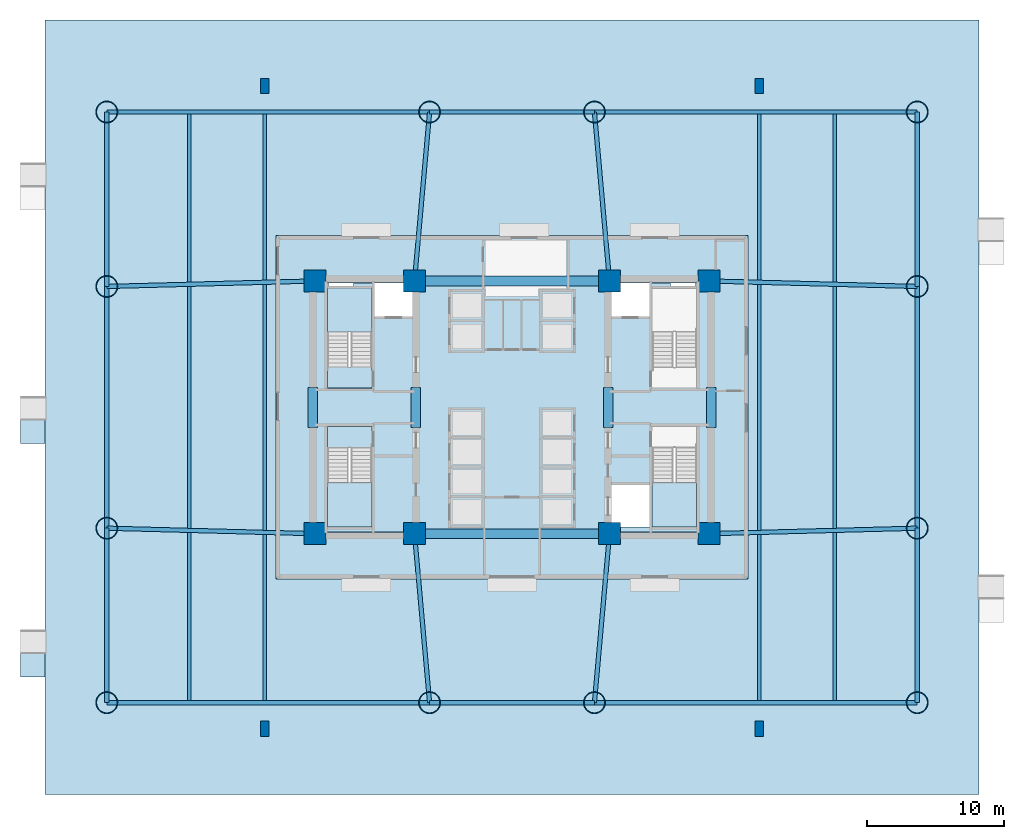
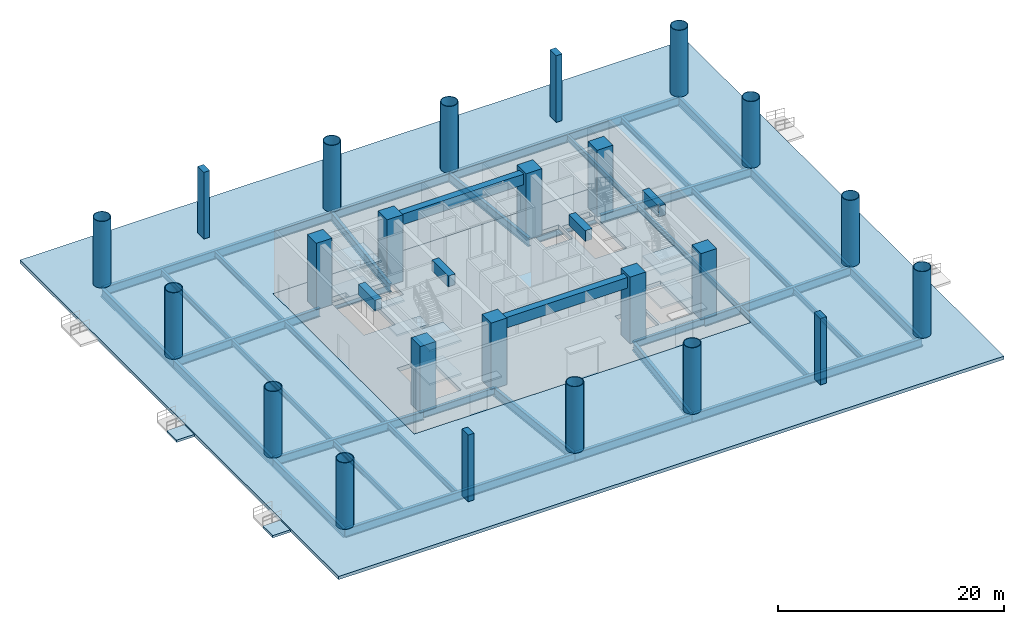
# One storey, part 1 of 10: 42 beams, 24 columns, 12 slabs, 5 elements without a shape of their own.
"""IFC4 building model written with IfcOpenShell, lengths in metres."""

from ifc_helpers import new_model, si_unit, direction, frame, origin, origin_2d, place, context, subcontext, project, spatial, polyline, rectangle, hollow_circle, i_section, outline, extrude, source, transform, mapped, material, layer, layer_set, material_profile, profile_set, type_object, element, aggregate, save


model = new_model("IFC4")

# Units and contexts
model_context = context("Model", 3, precision=1e-05, world=origin(), true_north=direction((0.0, 1.0)))
body_context = subcontext(model_context, "Body", "Model", "MODEL_VIEW")
ifc_project = project(units=[si_unit("LENGTHUNIT", "METRE"), si_unit("AREAUNIT", "SQUARE_METRE"), si_unit("VOLUMEUNIT", "CUBIC_METRE"), si_unit("PLANEANGLEUNIT", "RADIAN"), si_unit("MASSUNIT", "GRAM", prefix="KILO")], contexts=[model_context])

# Site, building, storey
site_placement = place(None, origin())
site = spatial("IfcSite", under=ifc_project, at=site_placement, CompositionType="ELEMENT")
building_placement = place(site_placement, origin())
building = spatial("IfcBuilding", under=site, at=building_placement, Name="Zahravan Cultural Tower", CompositionType="ELEMENT")
storey_placement = place(building_placement, origin())
storey = spatial("IfcBuildingStorey", under=building, at=storey_placement, Name="L00", CompositionType="ELEMENT", Elevation=0.0)

# Columns
ifc_material_1 = material(Name="Concrete C60/75", Category="concrete")
ifc_material_profile_1 = material_profile(ifc_material_1, rectangle(XDim=1.60009765625, YDim=1.60009765625, at=origin_2d()), Name="RC1600X1600")
ifc_profile_set_1 = profile_set([ifc_material_profile_1], Name="Concrete C60/75")
column_type_1 = type_object("IfcColumnType", Name="COL-RC1600", PredefinedType="COLUMN", material=ifc_profile_set_1)
shared_shape_1 = source(origin(), body_context, "Body", "SweptSolid", [
    extrude(rectangle(XDim=1.60009765625, YDim=1.60009765625, at=origin_2d()), origin(), (0.0, 0.0, 1.0), 7.199951171875),
])
for number, where, z_axis, x_axis, name in (
    (1, (21.64990234375, 17.800048828125, 0.0), (0.0, 0.0, 1.0), (1.0, 0.0, 0.0), "L00 Column CC-W1"),
    (2, (28.89990234375, 17.800048828125, 0.0), (0.0, 0.0, 1.0), (1.0, 0.0, 0.0), "L00 Column CC-W2"),
    (3, (21.64990234375, 36.199951171875, 0.0), (0.0, 0.0, 1.0), (1.0, 0.0, 0.0), "L00 Column CC-W3"),
    (4, (28.89990234375, 36.199951171875, 0.0), (0.0, 0.0, 1.0), (1.0, 0.0, 0.0), "L00 Column CC-W4"),
    (5, (43.10009765625, 17.800048828125, 0.0), (0.0, 0.0, 1.0), (1.0, 0.0, 0.0), "L00 Column CC-E1"),
    (6, (50.35009765625, 17.800048828125, 0.0), (0.0, 0.0, 1.0), (1.0, 0.0, 0.0), "L00 Column CC-E2"),
    (7, (43.10009765625, 36.199951171875, 0.0), (0.0, 0.0, 1.0), (1.0, 0.0, 0.0), "L00 Column CC-E3"),
    (8, (50.35009765625, 36.199951171875, 0.0), (0.0, 0.0, 1.0), (1.0, 0.0, 0.0), "L00 Column CC-E4"),
):
    element("IfcColumn", number, at=place(storey_placement, frame(where, z_axis=z_axis, x_axis=x_axis)), inside=storey, type_object=column_type_1, Name=name, PredefinedType="COLUMN", context=body_context, shape_type="MappedRepresentation", body=[
        mapped(shared_shape_1, transform((0.0, 0.0, 0.0), x_axis=(1.0, 0.0, 0.0), y_axis=(0.0, 1.0, 0.0), z_axis=(0.0, 0.0, 1.0), scale=1.0)),
    ])
ifc_material_2 = material(Name="Steel ASTM A572 Grade 50", Category="steel")
ifc_material_profile_2 = material_profile(ifc_material_2, hollow_circle(Radius=0.800048828125, WallThickness=0.06005859375, at=origin_2d()), Name="CHS1600X60")
ifc_profile_set_2 = profile_set([ifc_material_profile_2], Name="Steel ASTM A572 Grade 50")
column_type_2 = type_object("IfcColumnType", Name="COL-STILT-1600", PredefinedType="COLUMN", material=ifc_profile_set_2)
shared_shape_2 = source(origin(), body_context, "Body", "SweptSolid", [
    extrude(hollow_circle(Radius=0.800048828125, WallThickness=0.06005859375, at=origin_2d()), origin(), (0.0, 0.0, 1.0), 7.199951171875),
])
for number, where, z_axis, x_axis, name in (
    (9, (6.5, 5.5, 0.0), (0.0, 0.0, 1.0), (1.0, 0.0, 0.0), "L00 Column PC-01"),
    (10, (30.0, 5.5, 0.0), (0.0, 0.0, 1.0), (1.0, 0.0, 0.0), "L00 Column PC-02"),
    (11, (42.0, 5.5, 0.0), (0.0, 0.0, 1.0), (1.0, 0.0, 0.0), "L00 Column PC-03"),
    (12, (65.5, 5.5, 0.0), (0.0, 0.0, 1.0), (1.0, 0.0, 0.0), "L00 Column PC-04"),
    (13, (6.5, 18.199951171875, 0.0), (0.0, 0.0, 1.0), (1.0, 0.0, 0.0), "L00 Column PC-05"),
    (14, (65.5, 18.199951171875, 0.0), (0.0, 0.0, 1.0), (1.0, 0.0, 0.0), "L00 Column PC-06"),
    (15, (6.5, 35.800048828125, 0.0), (0.0, 0.0, 1.0), (1.0, 0.0, 0.0), "L00 Column PC-07"),
    (16, (65.5, 35.800048828125, 0.0), (0.0, 0.0, 1.0), (1.0, 0.0, 0.0), "L00 Column PC-08"),
    (17, (6.5, 48.5, 0.0), (0.0, 0.0, 1.0), (1.0, 0.0, 0.0), "L00 Column PC-09"),
    (18, (30.0, 48.5, 0.0), (0.0, 0.0, 1.0), (1.0, 0.0, 0.0), "L00 Column PC-10"),
    (19, (42.0, 48.5, 0.0), (0.0, 0.0, 1.0), (1.0, 0.0, 0.0), "L00 Column PC-11"),
    (20, (65.5, 48.5, 0.0), (0.0, 0.0, 1.0), (1.0, 0.0, 0.0), "L00 Column PC-12"),
):
    element("IfcColumn", number, at=place(storey_placement, frame(where, z_axis=z_axis, x_axis=x_axis)), inside=storey, type_object=column_type_2, Name=name, PredefinedType="COLUMN", context=body_context, shape_type="MappedRepresentation", body=[
        mapped(shared_shape_2, transform((0.0, 0.0, 0.0), x_axis=(1.0, 0.0, 0.0), y_axis=(0.0, 1.0, 0.0), z_axis=(0.0, 0.0, 1.0), scale=1.0)),
    ])
ifc_material_3 = material(Name="Concrete C50/60", Category="concrete")
ifc_material_profile_3 = material_profile(ifc_material_3, rectangle(XDim=0.60009765625, YDim=1.10009765625, at=origin_2d()), Name="RC600X1100")
ifc_profile_set_3 = profile_set([ifc_material_profile_3], Name="Concrete C50/60")
column_type_3 = type_object("IfcColumnType", Name="PIL-RC600X1100", PredefinedType="PILASTER", material=ifc_profile_set_3)
shared_shape_3 = source(origin(), body_context, "Body", "SweptSolid", [
    extrude(rectangle(XDim=0.60009765625, YDim=1.10009765625, at=origin_2d()), origin(), (0.0, 0.0, 1.0), 7.199951171875),
])
for number, where, z_axis, x_axis, name in (
    (21, (18.0, 3.60009765625, 0.0), (0.0, 0.0, 1.0), (1.0, 0.0, 0.0), "L00 Engaged Pilaster S1"),
    (22, (54.0, 3.60009765625, 0.0), (0.0, 0.0, 1.0), (1.0, 0.0, 0.0), "L00 Engaged Pilaster S2"),
    (23, (18.0, 50.39990234375, 0.0), (0.0, 0.0, 1.0), (1.0, 0.0, 0.0), "L00 Engaged Pilaster N1"),
    (24, (54.0, 50.39990234375, 0.0), (0.0, 0.0, 1.0), (1.0, 0.0, 0.0), "L00 Engaged Pilaster N2"),
):
    element("IfcColumn", number, at=place(storey_placement, frame(where, z_axis=z_axis, x_axis=x_axis)), inside=storey, type_object=column_type_3, Name=name, PredefinedType="PILASTER", context=body_context, shape_type="MappedRepresentation", body=[
        mapped(shared_shape_3, transform((0.0, 0.0, 0.0), x_axis=(1.0, 0.0, 0.0), y_axis=(0.0, 1.0, 0.0), z_axis=(0.0, 0.0, 1.0), scale=1.0)),
    ])

# Beams
ifc_material_profile_4 = material_profile(ifc_material_3, rectangle(XDim=0.699951171875, YDim=1.14990234375, at=origin_2d()), Name="RC700X1150")
ifc_profile_set_4 = profile_set([ifc_material_profile_4], Name="Concrete C50/60")
beam_type_1 = type_object("IfcBeamType", Name="BM-LN-RC700X1150", PredefinedType="LINTEL", material=ifc_profile_set_4)
shared_shape_4 = source(origin(), body_context, "Body", "SweptSolid", [
    extrude(rectangle(XDim=0.699951171875, YDim=1.14990234375, at=origin_2d()), origin(), (0.0, 0.0, 1.0), 14.2001953125),
])
for number, where, z_axis, x_axis, name in (
    (25, (28.89990234375, 17.800048828125, 6.324951171875), (1.0, 0.0, 0.0), (0.0, 1.0, 0.0), "L00 Beam LN-L00-S"),
    (26, (28.89990234375, 36.199951171875, 6.324951171875), (1.0, 0.0, 0.0), (0.0, 1.0, 0.0), "L00 Beam LN-L00-N"),
):
    element("IfcBeam", number, at=place(storey_placement, frame(where, z_axis=z_axis, x_axis=x_axis)), inside=storey, type_object=beam_type_1, Name=name, PredefinedType="LINTEL", context=body_context, shape_type="MappedRepresentation", body=[
        mapped(shared_shape_4, transform((0.0, 0.0, 0.0), x_axis=(1.0, 0.0, 0.0), y_axis=(0.0, 1.0, 0.0), z_axis=(0.0, 0.0, 1.0), scale=1.0)),
    ])
shared_shape_5 = source(origin(), body_context, "Body", "SweptSolid", [
    extrude(rectangle(XDim=0.699951171875, YDim=1.14990234375, at=origin_2d()), origin(), (0.0, 0.0, 1.0), 2.89990234375),
])
for number, where, z_axis, x_axis, name in (
    (27, (21.5, 25.550048828125, 6.324951171875), (0.0, 1.0, 0.0), (-1.0, 0.0, 0.0), "L00 Beam LN-L00-PWW"),
    (28, (29.0, 25.550048828125, 6.324951171875), (0.0, 1.0, 0.0), (-1.0, 0.0, 0.0), "L00 Beam LN-L00-PWE"),
    (29, (43.0, 25.550048828125, 6.324951171875), (0.0, 1.0, 0.0), (-1.0, 0.0, 0.0), "L00 Beam LN-L00-PEW"),
    (30, (50.5, 25.550048828125, 6.324951171875), (0.0, 1.0, 0.0), (-1.0, 0.0, 0.0), "L00 Beam LN-L00-PEE"),
):
    element("IfcBeam", number, at=place(storey_placement, frame(where, z_axis=z_axis, x_axis=x_axis)), inside=storey, type_object=beam_type_1, Name=name, PredefinedType="LINTEL", context=body_context, shape_type="MappedRepresentation", body=[
        mapped(shared_shape_5, transform((0.0, 0.0, 0.0), x_axis=(1.0, 0.0, 0.0), y_axis=(0.0, 1.0, 0.0), z_axis=(0.0, 0.0, 1.0), scale=1.0)),
    ])
ifc_material_4 = material(Name="Steel ASTM A992 Grade 50", Category="steel")
ifc_material_profile_5 = material_profile(ifc_material_4, i_section(OverallWidth=0.26611328125, OverallDepth=0.780029296875, WebThickness=0.0166015625, FlangeThickness=0.030029296875, FilletRadius=0.01904296875, at=origin_2d()), Name="W30X148")
ifc_profile_set_5 = profile_set([ifc_material_profile_5], Name="Steel ASTM A992 Grade 50")
beam_type_2 = type_object("IfcBeamType", Name="BM-G-W30X148", PredefinedType="BEAM", material=ifc_profile_set_5)
shared_shape_6 = source(origin(), body_context, "Body", "SweptSolid", [
    extrude(i_section(OverallWidth=0.26611328125, OverallDepth=0.780029296875, WebThickness=0.0166015625, FlangeThickness=0.030029296875, FilletRadius=0.01904296875, at=origin_2d()), origin(), (0.0, 0.0, 1.0), 7.25),
])
for number, where, z_axis, x_axis, name in (
    (31, (21.64990234375, 17.800048828125, -0.840087890625), (1.0, 0.0, 0.0), (0.0, 1.0, 0.0), "L00 Beam BG-L00-01"),
    (32, (21.64990234375, 36.199951171875, -0.840087890625), (1.0, 0.0, 0.0), (0.0, 1.0, 0.0), "L00 Beam BG-L00-02"),
    (33, (43.10009765625, 17.800048828125, -0.840087890625), (1.0, 0.0, 0.0), (0.0, 1.0, 0.0), "L00 Beam BG-L00-04"),
    (34, (43.10009765625, 36.199951171875, -0.840087890625), (1.0, 0.0, 0.0), (0.0, 1.0, 0.0), "L00 Beam BG-L00-05"),
):
    element("IfcBeam", number, at=place(storey_placement, frame(where, z_axis=z_axis, x_axis=x_axis)), inside=storey, type_object=beam_type_2, Name=name, PredefinedType="BEAM", context=body_context, shape_type="MappedRepresentation", body=[
        mapped(shared_shape_6, transform((0.0, 0.0, 0.0), x_axis=(1.0, 0.0, 0.0), y_axis=(0.0, 1.0, 0.0), z_axis=(0.0, 0.0, 1.0), scale=1.0)),
    ])
ifc_material_profile_6 = material_profile(ifc_material_4, i_section(OverallWidth=0.31005859375, OverallDepth=0.949951171875, WebThickness=0.0244140625, FlangeThickness=0.0439453125, FilletRadius=0.02392578125, at=origin_2d()), Name="W36X256")
ifc_profile_set_6 = profile_set([ifc_material_profile_6], Name="Steel ASTM A992 Grade 50")
beam_type_3 = type_object("IfcBeamType", Name="BM-G-W36X256", PredefinedType="BEAM", material=ifc_profile_set_6)
shared_shape_7 = source(origin(), body_context, "Body", "SweptSolid", [
    extrude(i_section(OverallWidth=0.31005859375, OverallDepth=0.949951171875, WebThickness=0.0244140625, FlangeThickness=0.0439453125, FilletRadius=0.02392578125, at=origin_2d()), origin(), (0.0, 0.0, 1.0), 23.5),
])
for number, where, z_axis, x_axis, name in (
    (35, (6.5, 5.5, -0.925048828125), (1.0, 0.0, 0.0), (0.0, 1.0, 0.0), "L00 Beam BG-L00-07"),
    (36, (42.0, 5.5, -0.925048828125), (1.0, 0.0, 0.0), (0.0, 1.0, 0.0), "L00 Beam BG-L00-09"),
    (37, (6.5, 48.5, -0.925048828125), (1.0, 0.0, 0.0), (0.0, 1.0, 0.0), "L00 Beam BG-L00-10"),
    (38, (42.0, 48.5, -0.925048828125), (1.0, 0.0, 0.0), (0.0, 1.0, 0.0), "L00 Beam BG-L00-12"),
):
    element("IfcBeam", number, at=place(storey_placement, frame(where, z_axis=z_axis, x_axis=x_axis)), inside=storey, type_object=beam_type_3, Name=name, PredefinedType="BEAM", context=body_context, shape_type="MappedRepresentation", body=[
        mapped(shared_shape_7, transform((0.0, 0.0, 0.0), x_axis=(1.0, 0.0, 0.0), y_axis=(0.0, 1.0, 0.0), z_axis=(0.0, 0.0, 1.0), scale=1.0)),
    ])
shared_shape_8 = source(origin(), body_context, "Body", "SweptSolid", [
    extrude(i_section(OverallWidth=0.31005859375, OverallDepth=0.949951171875, WebThickness=0.0244140625, FlangeThickness=0.0439453125, FilletRadius=0.02392578125, at=origin_2d()), origin(), (0.0, 0.0, 1.0), 12.0),
])
for number, where, z_axis, x_axis, name in (
    (39, (30.0, 5.5, -0.925048828125), (1.0, 0.0, 0.0), (0.0, 1.0, 0.0), "L00 Beam BG-L00-08"),
    (40, (30.0, 48.5, -0.925048828125), (1.0, 0.0, 0.0), (0.0, 1.0, 0.0), "L00 Beam BG-L00-11"),
):
    element("IfcBeam", number, at=place(storey_placement, frame(where, z_axis=z_axis, x_axis=x_axis)), inside=storey, type_object=beam_type_3, Name=name, PredefinedType="BEAM", context=body_context, shape_type="MappedRepresentation", body=[
        mapped(shared_shape_8, transform((0.0, 0.0, 0.0), x_axis=(1.0, 0.0, 0.0), y_axis=(0.0, 1.0, 0.0), z_axis=(0.0, 0.0, 1.0), scale=1.0)),
    ])
shared_shape_9 = source(origin(), body_context, "Body", "SweptSolid", [
    extrude(i_section(OverallWidth=0.31005859375, OverallDepth=0.949951171875, WebThickness=0.0244140625, FlangeThickness=0.0439453125, FilletRadius=0.02392578125, at=origin_2d()), origin(), (0.0, 0.0, 1.0), 12.699951171875),
])
for number, where, z_axis, x_axis, name in (
    (41, (6.5, 5.5, -0.925048828125), (0.0, 1.0, 0.0), (-1.0, 0.0, 0.0), "L00 Beam BG-L00-13"),
    (42, (6.5, 35.800048828125, -0.925048828125), (0.0, 1.0, 0.0), (-1.0, 0.0, 0.0), "L00 Beam BG-L00-15"),
    (43, (65.5, 5.5, -0.925048828125), (0.0, 1.0, 0.0), (-1.0, 0.0, 0.0), "L00 Beam BG-L00-16"),
    (44, (65.5, 35.800048828125, -0.925048828125), (0.0, 1.0, 0.0), (-1.0, 0.0, 0.0), "L00 Beam BG-L00-18"),
):
    element("IfcBeam", number, at=place(storey_placement, frame(where, z_axis=z_axis, x_axis=x_axis)), inside=storey, type_object=beam_type_3, Name=name, PredefinedType="BEAM", context=body_context, shape_type="MappedRepresentation", body=[
        mapped(shared_shape_9, transform((0.0, 0.0, 0.0), x_axis=(1.0, 0.0, 0.0), y_axis=(0.0, 1.0, 0.0), z_axis=(0.0, 0.0, 1.0), scale=1.0)),
    ])
shared_shape_10 = source(origin(), body_context, "Body", "SweptSolid", [
    extrude(i_section(OverallWidth=0.31005859375, OverallDepth=0.949951171875, WebThickness=0.0244140625, FlangeThickness=0.0439453125, FilletRadius=0.02392578125, at=origin_2d()), origin(), (0.0, 0.0, 1.0), 17.60009765625),
])
for number, where, z_axis, x_axis, name in (
    (45, (6.5, 18.199951171875, -0.925048828125), (0.0, 1.0, 0.0), (-1.0, 0.0, 0.0), "L00 Beam BG-L00-14"),
    (46, (65.5, 18.199951171875, -0.925048828125), (0.0, 1.0, 0.0), (-1.0, 0.0, 0.0), "L00 Beam BG-L00-17"),
):
    element("IfcBeam", number, at=place(storey_placement, frame(where, z_axis=z_axis, x_axis=x_axis)), inside=storey, type_object=beam_type_3, Name=name, PredefinedType="BEAM", context=body_context, shape_type="MappedRepresentation", body=[
        mapped(shared_shape_10, transform((0.0, 0.0, 0.0), x_axis=(1.0, 0.0, 0.0), y_axis=(0.0, 1.0, 0.0), z_axis=(0.0, 0.0, 1.0), scale=1.0)),
    ])
shared_shape_11 = source(origin(), body_context, "Body", "SweptSolid", [
    extrude(i_section(OverallWidth=0.31005859375, OverallDepth=0.949951171875, WebThickness=0.0244140625, FlangeThickness=0.0439453125, FilletRadius=0.02392578125, at=origin_2d()), origin(), (0.0, 0.0, 1.0), 15.1552734375),
])
for number, where, z_axis, x_axis, name in (
    (47, (6.5, 18.199951171875, -0.925048828125), (0.999651797923, -0.026387173188, 0.0), (0.026387173188, 0.999651797923, 0.0), "L00 Beam BG-L00-19"),
    (48, (6.5, 35.800048828125, -0.925048828125), (0.999651797923, 0.026387173188, 0.0), (-0.026387173188, 0.999651797923, 0.0), "L00 Beam BG-L00-20"),
    (49, (65.5, 18.199951171875, -0.925048828125), (-0.999651797923, -0.026387173188, 0.0), (0.026387173188, -0.999651797923, 0.0), "L00 Beam BG-L00-21"),
    (50, (65.5, 35.800048828125, -0.925048828125), (-0.999651797923, 0.026387173188, 0.0), (-0.026387173188, -0.999651797923, 0.0), "L00 Beam BG-L00-22"),
):
    element("IfcBeam", number, at=place(storey_placement, frame(where, z_axis=z_axis, x_axis=x_axis)), inside=storey, type_object=beam_type_3, Name=name, PredefinedType="BEAM", context=body_context, shape_type="MappedRepresentation", body=[
        mapped(shared_shape_11, transform((0.0, 0.0, 0.0), x_axis=(1.0, 0.0, 0.0), y_axis=(0.0, 1.0, 0.0), z_axis=(0.0, 0.0, 1.0), scale=1.0)),
    ])
shared_shape_12 = source(origin(), body_context, "Body", "SweptSolid", [
    extrude(i_section(OverallWidth=0.31005859375, OverallDepth=0.949951171875, WebThickness=0.0244140625, FlangeThickness=0.0439453125, FilletRadius=0.02392578125, at=origin_2d()), origin(), (0.0, 0.0, 1.0), 12.34912109375),
])
for number, where, z_axis, x_axis, name in (
    (51, (30.0, 5.5, -0.925048828125), (-0.089082890706, 0.996024215862, 0.0), (-0.996024215862, -0.089082890706, 0.0), "L00 Beam BG-L00-23"),
    (52, (42.0, 5.5, -0.925048828125), (0.089082890706, 0.996024215862, 0.0), (-0.996024215862, 0.089082890706, 0.0), "L00 Beam BG-L00-24"),
    (53, (30.0, 48.5, -0.925048828125), (-0.089082890706, -0.996024215862, 0.0), (0.996024215862, -0.089082890706, 0.0), "L00 Beam BG-L00-25"),
    (54, (42.0, 48.5, -0.925048828125), (0.089082890706, -0.996024215862, 0.0), (0.996024215862, 0.089082890706, 0.0), "L00 Beam BG-L00-26"),
):
    element("IfcBeam", number, at=place(storey_placement, frame(where, z_axis=z_axis, x_axis=x_axis)), inside=storey, type_object=beam_type_3, Name=name, PredefinedType="BEAM", context=body_context, shape_type="MappedRepresentation", body=[
        mapped(shared_shape_12, transform((0.0, 0.0, 0.0), x_axis=(1.0, 0.0, 0.0), y_axis=(0.0, 1.0, 0.0), z_axis=(0.0, 0.0, 1.0), scale=1.0)),
    ])
ifc_material_profile_7 = material_profile(ifc_material_4, i_section(OverallWidth=0.22998046875, OverallDepth=0.616943359375, WebThickness=0.01318359375, FlangeThickness=0.022216796875, FilletRadius=0.014892578125, at=origin_2d()), Name="W24X94")
ifc_profile_set_7 = profile_set([ifc_material_profile_7], Name="Steel ASTM A992 Grade 50")
beam_type_4 = type_object("IfcBeamType", Name="BM-J-W24X94", PredefinedType="JOIST", material=ifc_profile_set_7)
shared_shape_13 = source(origin(), body_context, "Body", "SweptSolid", [
    extrude(i_section(OverallWidth=0.22998046875, OverallDepth=0.616943359375, WebThickness=0.01318359375, FlangeThickness=0.022216796875, FilletRadius=0.014892578125, at=origin_2d()), origin(), (0.0, 0.0, 1.0), 12.235595703125),
])
for number, where, z_axis, x_axis, name in (
    (55, (12.5, 5.653076171875, -0.758544921875), (0.0, 1.0, 0.0), (-1.0, 0.0, 0.0), "L00 Beam BJ-L00-27"),
    (56, (12.5, 36.111328125, -0.758544921875), (0.0, 1.0, 0.0), (-1.0, 0.0, 0.0), "L00 Beam BJ-L00-29"),
    (57, (59.5, 5.653076171875, -0.758544921875), (0.0, 1.0, 0.0), (-1.0, 0.0, 0.0), "L00 Beam BJ-L00-36"),
    (58, (59.5, 36.111328125, -0.758544921875), (0.0, 1.0, 0.0), (-1.0, 0.0, 0.0), "L00 Beam BJ-L00-38"),
):
    element("IfcBeam", number, at=place(storey_placement, frame(where, z_axis=z_axis, x_axis=x_axis)), inside=storey, type_object=beam_type_4, Name=name, PredefinedType="JOIST", context=body_context, shape_type="MappedRepresentation", body=[
        mapped(shared_shape_13, transform((0.0, 0.0, 0.0), x_axis=(1.0, 0.0, 0.0), y_axis=(0.0, 1.0, 0.0), z_axis=(0.0, 0.0, 1.0), scale=1.0)),
    ])
shared_shape_14 = source(origin(), body_context, "Body", "SweptSolid", [
    extrude(i_section(OverallWidth=0.22998046875, OverallDepth=0.616943359375, WebThickness=0.01318359375, FlangeThickness=0.022216796875, FilletRadius=0.014892578125, at=origin_2d()), origin(), (0.0, 0.0, 1.0), 17.61083984375),
])
for number, where, z_axis, x_axis, name in (
    (59, (12.5, 18.194580078125, -0.758544921875), (0.0, 1.0, 0.0), (-1.0, 0.0, 0.0), "L00 Beam BJ-L00-28"),
    (60, (59.5, 18.194580078125, -0.758544921875), (0.0, 1.0, 0.0), (-1.0, 0.0, 0.0), "L00 Beam BJ-L00-37"),
):
    element("IfcBeam", number, at=place(storey_placement, frame(where, z_axis=z_axis, x_axis=x_axis)), inside=storey, type_object=beam_type_4, Name=name, PredefinedType="JOIST", context=body_context, shape_type="MappedRepresentation", body=[
        mapped(shared_shape_14, transform((0.0, 0.0, 0.0), x_axis=(1.0, 0.0, 0.0), y_axis=(0.0, 1.0, 0.0), z_axis=(0.0, 0.0, 1.0), scale=1.0)),
    ])
shared_shape_15 = source(origin(), body_context, "Body", "SweptSolid", [
    extrude(i_section(OverallWidth=0.22998046875, OverallDepth=0.616943359375, WebThickness=0.01318359375, FlangeThickness=0.022216796875, FilletRadius=0.014892578125, at=origin_2d()), origin(), (0.0, 0.0, 1.0), 12.09033203125),
])
for number, where, z_axis, x_axis, name in (
    (61, (18.0, 5.653076171875, -0.758544921875), (0.0, 1.0, 0.0), (-1.0, 0.0, 0.0), "L00 Beam BJ-L00-30"),
    (62, (18.0, 36.256591796875, -0.758544921875), (0.0, 1.0, 0.0), (-1.0, 0.0, 0.0), "L00 Beam BJ-L00-32"),
    (63, (54.0, 5.653076171875, -0.758544921875), (0.0, 1.0, 0.0), (-1.0, 0.0, 0.0), "L00 Beam BJ-L00-33"),
    (64, (54.0, 36.256591796875, -0.758544921875), (0.0, 1.0, 0.0), (-1.0, 0.0, 0.0), "L00 Beam BJ-L00-35"),
):
    element("IfcBeam", number, at=place(storey_placement, frame(where, z_axis=z_axis, x_axis=x_axis)), inside=storey, type_object=beam_type_4, Name=name, PredefinedType="JOIST", context=body_context, shape_type="MappedRepresentation", body=[
        mapped(shared_shape_15, transform((0.0, 0.0, 0.0), x_axis=(1.0, 0.0, 0.0), y_axis=(0.0, 1.0, 0.0), z_axis=(0.0, 0.0, 1.0), scale=1.0)),
    ])
shared_shape_16 = source(origin(), body_context, "Body", "SweptSolid", [
    extrude(i_section(OverallWidth=0.22998046875, OverallDepth=0.616943359375, WebThickness=0.01318359375, FlangeThickness=0.022216796875, FilletRadius=0.014892578125, at=origin_2d()), origin(), (0.0, 0.0, 1.0), 17.9013671875),
])
for number, where, z_axis, x_axis, name in (
    (65, (18.0, 18.04931640625, -0.758544921875), (0.0, 1.0, 0.0), (-1.0, 0.0, 0.0), "L00 Beam BJ-L00-31"),
    (66, (54.0, 18.04931640625, -0.758544921875), (0.0, 1.0, 0.0), (-1.0, 0.0, 0.0), "L00 Beam BJ-L00-34"),
):
    element("IfcBeam", number, at=place(storey_placement, frame(where, z_axis=z_axis, x_axis=x_axis)), inside=storey, type_object=beam_type_4, Name=name, PredefinedType="JOIST", context=body_context, shape_type="MappedRepresentation", body=[
        mapped(shared_shape_16, transform((0.0, 0.0, 0.0), x_axis=(1.0, 0.0, 0.0), y_axis=(0.0, 1.0, 0.0), z_axis=(0.0, 0.0, 1.0), scale=1.0)),
    ])

# Slab
ifc_material_5 = material(Name="Concrete C45/55", Category="concrete")
ifc_layer_1 = layer(ifc_material_5, 0.35009765625)
ifc_layer_set_1 = layer_set([ifc_layer_1], Name="Concrete C45/55")
slab_type_1 = type_object("IfcSlabType", Name="SL-PLAZA-350", PredefinedType="USERDEFINED", material=ifc_layer_set_1)
slab_1_placement = place(storey_placement, frame((0.0, 0.0, -0.35009765625)))
element("IfcSlab", 67, at=slab_1_placement, inside=storey, type_object=slab_type_1, Name="L00 Open Pilotis Arrival Plaza Paving", ObjectType="PAVING", PredefinedType="USERDEFINED", context=body_context, shape_type="SweptSolid", body=[
    extrude(outline(polyline([(70.0, -1.199951171875), (70.0, 55.199951171875), (2.0, 55.199951171875), (2.0, -1.199951171875), (70.0, -1.199951171875)]), holes=[polyline([(18.800048828125, 14.5), (18.800048828125, 39.5), (53.199951171875, 39.5), (53.199951171875, 14.5), (18.800048828125, 14.5)])]), origin(), (0.0, 0.0, 1.0), 0.35009765625),
])

# Ramp, slab
ramp_type = type_object("IfcRampType", Name="RMP-ACCESS-1800", PredefinedType="STRAIGHT_RUN_RAMP", material=ifc_material_5)
ramp_1_placement = place(storey_placement, origin())
ramp_1 = element("IfcRamp", 68, at=ramp_1_placement, inside=storey, type_object=ramp_type, Name="L00 Accessible Boulevard Ramp RMP-01", PredefinedType="STRAIGHT_RUN_RAMP")
ifc_layer_2 = layer(ifc_material_5, 0.25)
ifc_layer_set_2 = layer_set([ifc_layer_2], Name="Concrete C45/55")
slab_type_2 = type_object("IfcSlabType", Name="SL-RMP-LANDING", PredefinedType="LANDING", material=ifc_layer_set_2)
slab_2_placement = place(storey_placement, frame((0.0, 0.0, -0.389892578125)))
slab_2 = element("IfcSlab", 69, at=slab_2_placement, type_object=slab_type_2, Name="RMP-01 Bottom Approach Landing", PredefinedType="LANDING", context=body_context, shape_type="SweptSolid", body=[
    extrude(outline(polyline([(2.0, 7.35009765625), (2.0, 9.10009765625), (0.199951171875, 9.10009765625), (0.199951171875, 7.35009765625), (2.0, 7.35009765625)])), origin(), (0.0, 0.0, 1.0), 0.25),
])
aggregate(ramp_1, [slab_2])

ramp_2_placement = place(storey_placement, origin())
ramp_2 = element("IfcRamp", 70, at=ramp_2_placement, inside=storey, type_object=ramp_type, Name="L00 Accessible Boulevard Ramp RMP-02", PredefinedType="STRAIGHT_RUN_RAMP")
slab_3_placement = place(storey_placement, frame((0.0, 0.0, -0.389892578125)))
slab_3 = element("IfcSlab", 71, at=slab_3_placement, type_object=slab_type_2, Name="RMP-02 Bottom Approach Landing", PredefinedType="LANDING", context=body_context, shape_type="SweptSolid", body=[
    extrude(outline(polyline([(2.0, 24.35009765625), (2.0, 26.10009765625), (0.199951171875, 26.10009765625), (0.199951171875, 24.35009765625), (2.0, 24.35009765625)])), origin(), (0.0, 0.0, 1.0), 0.25),
])
aggregate(ramp_2, [slab_3])

# Stair, slabs
stair_type = type_object("IfcStairType", Name="STR-DL-1550-720", PredefinedType="HALF_TURN_STAIR", material=ifc_material_5)
stair_1_placement = place(storey_placement, origin())
stair_1 = element("IfcStair", 72, at=stair_1_placement, inside=storey, type_object=stair_type, Name="L00 West Core North Exit Stair ST-W1", PredefinedType="HALF_TURN_STAIR")
ifc_layer_3 = layer(ifc_material_5, 0.199951171875)
ifc_layer_set_3 = layer_set([ifc_layer_3], Name="Concrete C45/55")
slab_type_3 = type_object("IfcSlabType", Name="SL-STAIR-LND200", PredefinedType="LANDING", material=ifc_layer_set_3)
slab_4_placement = place(storey_placement, frame((0.0, 0.0, 1.60009765625)))
slab_4 = element("IfcSlab", 73, at=slab_4_placement, type_object=slab_type_3, Name="ST-W1 landing 1", PredefinedType="LANDING", context=body_context, shape_type="SweptSolid", body=[
    extrude(outline(polyline([(25.800048828125, 32.469970703125), (25.800048828125, 35.699951171875), (22.550048828125, 35.699951171875), (22.550048828125, 32.469970703125), (25.800048828125, 32.469970703125)])), origin(), (0.0, 0.0, 1.0), 0.199951171875),
])
slab_5_placement = place(storey_placement, frame((0.0, 0.0, 3.39990234375)))
slab_5 = element("IfcSlab", 74, at=slab_5_placement, type_object=slab_type_3, Name="ST-W1 landing 2", PredefinedType="LANDING", context=body_context, shape_type="SweptSolid", body=[
    extrude(outline(polyline([(25.800048828125, 28.39990234375), (25.800048828125, 29.949951171875), (22.550048828125, 29.949951171875), (22.550048828125, 28.39990234375), (25.800048828125, 28.39990234375)])), origin(), (0.0, 0.0, 1.0), 0.2001953125),
])
slab_6_placement = place(storey_placement, frame((0.0, 0.0, 5.199951171875)))
slab_6 = element("IfcSlab", 75, at=slab_6_placement, type_object=slab_type_3, Name="ST-W1 landing 3", PredefinedType="LANDING", context=body_context, shape_type="SweptSolid", body=[
    extrude(outline(polyline([(25.800048828125, 32.469970703125), (25.800048828125, 35.699951171875), (22.550048828125, 35.699951171875), (22.550048828125, 32.469970703125), (25.800048828125, 32.469970703125)])), origin(), (0.0, 0.0, 1.0), 0.199951171875),
])
aggregate(stair_1, [slab_4, slab_5, slab_6])

stair_2_placement = place(storey_placement, origin())
stair_2 = element("IfcStair", 76, at=stair_2_placement, inside=storey, type_object=stair_type, Name="L00 West Core South Exit Stair ST-W2", PredefinedType="HALF_TURN_STAIR")
slab_7_placement = place(storey_placement, frame((0.0, 0.0, 1.60009765625)))
slab_7 = element("IfcSlab", 77, at=slab_7_placement, type_object=slab_type_3, Name="ST-W2 landing 1", PredefinedType="LANDING", context=body_context, shape_type="SweptSolid", body=[
    extrude(outline(polyline([(22.550048828125, 21.530029296875), (22.550048828125, 18.300048828125), (25.800048828125, 18.300048828125), (25.800048828125, 21.530029296875), (22.550048828125, 21.530029296875)])), origin(), (0.0, 0.0, 1.0), 0.199951171875),
])
slab_8_placement = place(storey_placement, frame((0.0, 0.0, 3.39990234375)))
slab_8 = element("IfcSlab", 78, at=slab_8_placement, type_object=slab_type_3, Name="ST-W2 landing 2", PredefinedType="LANDING", context=body_context, shape_type="SweptSolid", body=[
    extrude(outline(polyline([(22.550048828125, 25.60009765625), (22.550048828125, 24.050048828125), (25.800048828125, 24.050048828125), (25.800048828125, 25.60009765625), (22.550048828125, 25.60009765625)])), origin(), (0.0, 0.0, 1.0), 0.2001953125),
])
slab_9_placement = place(storey_placement, frame((0.0, 0.0, 5.199951171875)))
slab_9 = element("IfcSlab", 79, at=slab_9_placement, type_object=slab_type_3, Name="ST-W2 landing 3", PredefinedType="LANDING", context=body_context, shape_type="SweptSolid", body=[
    extrude(outline(polyline([(22.550048828125, 21.530029296875), (22.550048828125, 18.300048828125), (25.800048828125, 18.300048828125), (25.800048828125, 21.530029296875), (22.550048828125, 21.530029296875)])), origin(), (0.0, 0.0, 1.0), 0.199951171875),
])
aggregate(stair_2, [slab_7, slab_8, slab_9])

stair_3_placement = place(storey_placement, origin())
stair_3 = element("IfcStair", 80, at=stair_3_placement, inside=storey, type_object=stair_type, Name="L00 East Core South Exit Stair ST-E2", PredefinedType="HALF_TURN_STAIR")
slab_10_placement = place(storey_placement, frame((0.0, 0.0, 1.60009765625)))
slab_10 = element("IfcSlab", 81, at=slab_10_placement, type_object=slab_type_3, Name="ST-E2 landing 1", PredefinedType="LANDING", context=body_context, shape_type="SweptSolid", body=[
    extrude(outline(polyline([(46.199951171875, 21.530029296875), (46.199951171875, 18.300048828125), (49.449951171875, 18.300048828125), (49.449951171875, 21.530029296875), (46.199951171875, 21.530029296875)])), origin(), (0.0, 0.0, 1.0), 0.199951171875),
])
slab_11_placement = place(storey_placement, frame((0.0, 0.0, 5.199951171875)))
slab_11 = element("IfcSlab", 82, at=slab_11_placement, type_object=slab_type_3, Name="ST-E2 landing 3", PredefinedType="LANDING", context=body_context, shape_type="SweptSolid", body=[
    extrude(outline(polyline([(46.199951171875, 21.530029296875), (46.199951171875, 18.300048828125), (49.449951171875, 18.300048828125), (49.449951171875, 21.530029296875), (46.199951171875, 21.530029296875)])), origin(), (0.0, 0.0, 1.0), 0.199951171875),
])
aggregate(stair_3, [slab_10, slab_11])

# Slab
ifc_layer_4 = layer(ifc_material_3, 0.449951171875)
ifc_layer_set_4 = layer_set([ifc_layer_4], Name="Concrete C50/60")
slab_type_4 = type_object("IfcSlabType", Name="SL-TRANS-450", PredefinedType="FLOOR", material=ifc_layer_set_4)
slab_12_placement = place(storey_placement, frame((0.0, 0.0, -0.449951171875)))
element("IfcSlab", 83, at=slab_12_placement, inside=storey, type_object=slab_type_4, Name="L00 Central Foyer Structural Slab", PredefinedType="FLOOR", context=body_context, shape_type="SweptSolid", body=[
    extrude(outline(polyline([(53.199951171875, 14.5), (53.199951171875, 39.5), (18.800048828125, 39.5), (18.800048828125, 14.5), (53.199951171875, 14.5)]), holes=[polyline([(22.550048828125, 29.949951171875), (22.550048828125, 35.699951171875), (25.800048828125, 35.699951171875), (25.800048828125, 29.949951171875), (22.550048828125, 29.949951171875)]), polyline([(22.550048828125, 18.300048828125), (22.550048828125, 24.050048828125), (25.800048828125, 24.050048828125), (25.800048828125, 18.300048828125), (22.550048828125, 18.300048828125)]), polyline([(46.199951171875, 29.949951171875), (46.199951171875, 35.699951171875), (49.449951171875, 35.699951171875), (49.449951171875, 29.949951171875), (46.199951171875, 29.949951171875)]), polyline([(46.199951171875, 18.300048828125), (46.199951171875, 24.050048828125), (49.449951171875, 24.050048828125), (49.449951171875, 18.300048828125), (46.199951171875, 18.300048828125)]), polyline([(26.0, 33.60009765625), (26.0, 36.050048828125), (28.75, 36.050048828125), (28.75, 33.60009765625), (26.0, 33.60009765625)]), polyline([(43.25, 33.60009765625), (43.25, 36.050048828125), (46.0, 36.050048828125), (46.0, 33.60009765625), (43.25, 33.60009765625)]), polyline([(43.25, 18.300048828125), (43.25, 21.35009765625), (46.0, 21.35009765625), (46.0, 18.300048828125), (43.25, 18.300048828125)]), polyline([(22.64990234375, 35.800048828125), (22.64990234375, 36.419921875), (24.449951171875, 36.419921875), (24.449951171875, 35.800048828125), (22.64990234375, 35.800048828125)]), polyline([(47.550048828125, 35.800048828125), (47.550048828125, 36.419921875), (49.35009765625, 36.419921875), (49.35009765625, 35.800048828125), (47.550048828125, 35.800048828125)])]), origin(), (0.0, 0.0, 1.0), 0.449951171875),
])

save(model, "model.ifc")
